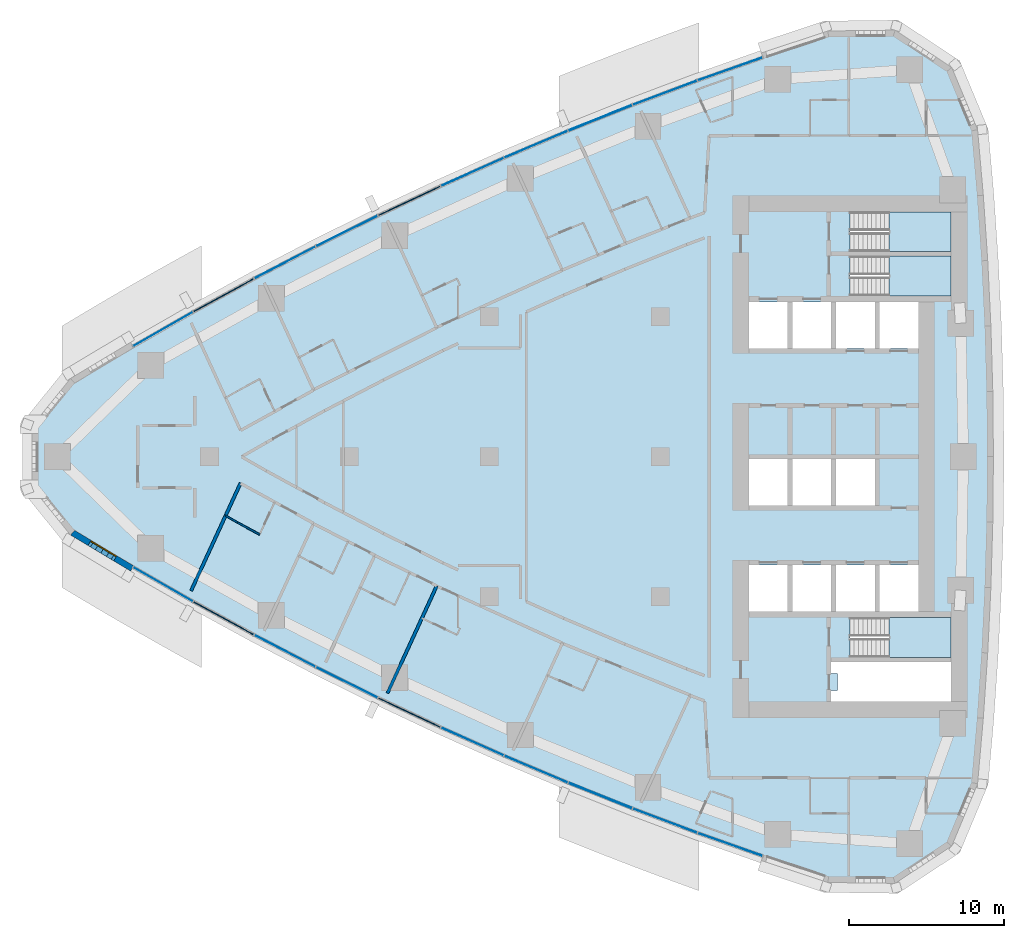
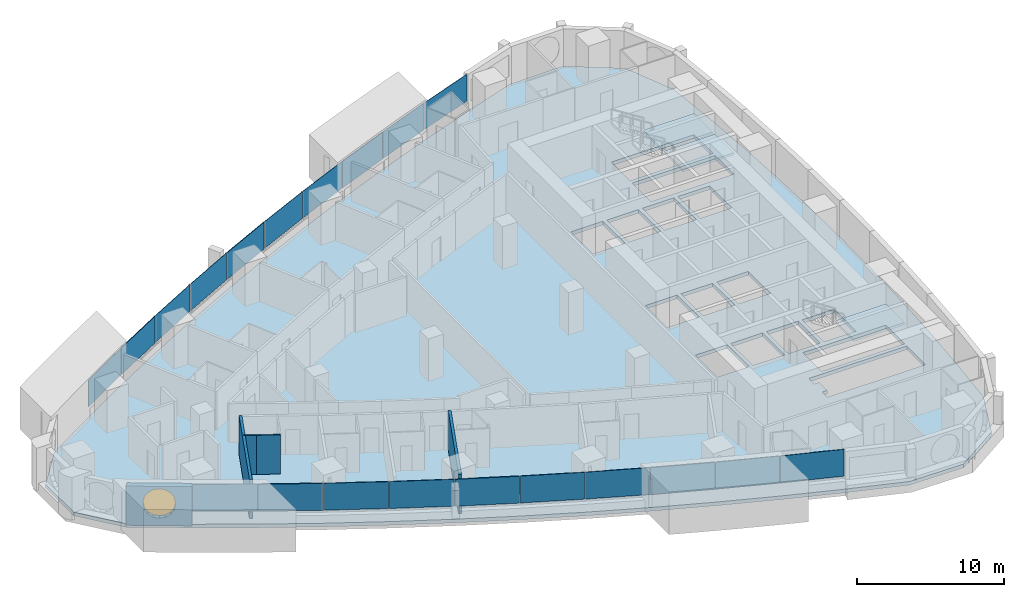
# One storey, part 7 of 17: 20 plates, 5 walls, 4 slabs, 1 window, 2 openings, 13 elements without a shape of their own.
"""IFC4 building model written with IfcOpenShell, lengths in metres."""

import ifcopenshell
import ifcopenshell.guid

model = None  # the IFC model being written
_history = None  # IfcOwnerHistory: only IFC2X3 demands one
_inside = {}  # id of a spatial element -> (the spatial element, [elements in it])
_under = {}  # id of a project, library or spatial element -> (it, [spatial elements below it])
_declared = {}  # id of a project -> (the project, [libraries it declares])
_typed = {}  # id of a type object -> (the type object, [elements of that type])
_made_of = {}  # id of a material, layer set ... -> (it, [elements and type objects made of it])


def new_model(schema):
    """Start an empty IFC model of exactly this schema.

    Asked for "IFC4X3", IfcOpenShell would pick the latest addendum, in which some entities
    have other attributes; the version numbers below select the first issue.
    IFC2X3 requires an IfcOwnerHistory on every rooted entity: one is made here for all.
    """
    global model, _history
    if schema == "IFC4X3":
        model = ifcopenshell.file(schema_version=(4, 3, 0, 0))
    else:
        model = ifcopenshell.file(schema=schema)
    _inside.clear()
    _under.clear()
    _declared.clear()
    _typed.clear()
    _made_of.clear()
    _history = None
    if model.schema == "IFC2X3":
        org = make("IfcOrganization", Name="unknown")
        user = make(
            "IfcPersonAndOrganization",
            ThePerson=make("IfcPerson", FamilyName="unknown"),
            TheOrganization=org,
        )
        app = make(
            "IfcApplication",
            ApplicationDeveloper=org,
            Version="unknown",
            ApplicationFullName="unknown",
            ApplicationIdentifier="unknown",
        )
        _history = make(
            "IfcOwnerHistory",
            OwningUser=user,
            OwningApplication=app,
            ChangeAction="ADDED",
            CreationDate=0,
        )
    return model


def make(cls, **values):
    """One entity of the class cls with the attributes given. An attribute that is None is left unset."""
    return model.create_entity(
        cls, **{name: value for name, value in values.items() if value is not None}
    )


def rooted(cls, **values):
    """An entity with a GlobalId (a new one), such as an element, a storey or a relation."""
    return make(cls, GlobalId=ifcopenshell.guid.new(), OwnerHistory=_history, **values)


def si_unit(unit_type, name, prefix=None):
    """IfcSIUnit, for example si_unit("LENGTHUNIT", "METRE", prefix="MILLI")."""
    return make("IfcSIUnit", UnitType=unit_type, Prefix=prefix, Name=name)


def assignment(units):
    """IfcUnitAssignment: the units of a project."""
    return None if units is None else make("IfcUnitAssignment", Units=units)


def point(xyz):
    """IfcCartesianPoint."""
    return None if xyz is None else make("IfcCartesianPoint", Coordinates=xyz)


def direction(xyz):
    """IfcDirection."""
    return None if xyz is None else make("IfcDirection", DirectionRatios=xyz)


def frame(location, z_axis=None, x_axis=None):
    """IfcAxis2Placement3D, a coordinate frame: its origin and axes. An axis left out is left unset."""
    return make(
        "IfcAxis2Placement3D",
        Location=point(location),
        Axis=direction(z_axis),
        RefDirection=direction(x_axis),
    )


def frame_2d(location, x_axis=None):
    """IfcAxis2Placement2D, a coordinate frame in the plane: its origin and x axis."""
    return make(
        "IfcAxis2Placement2D", Location=point(location), RefDirection=direction(x_axis)
    )


def origin():
    """The frame at (0, 0, 0) with its axes left unset."""
    return frame((0.0, 0.0, 0.0))


def origin_2d():
    """The frame at (0, 0) in the plane with its x axis left unset."""
    return frame_2d((0.0, 0.0))


def place(relative_to, where):
    """IfcLocalPlacement: puts the frame where relative to a parent placement (None: the world)."""
    return make(
        "IfcLocalPlacement", PlacementRelTo=relative_to, RelativePlacement=where
    )


def context(
    kind, dimensions, precision=None, world=None, true_north=None, identifier=None
):
    """IfcGeometricRepresentationContext, for example the 3D "Model" context."""
    return make(
        "IfcGeometricRepresentationContext",
        ContextIdentifier=identifier,
        ContextType=kind,
        CoordinateSpaceDimension=dimensions,
        Precision=precision,
        WorldCoordinateSystem=world,
        TrueNorth=true_north,
    )


def subcontext(parent, identifier, kind, view, scale=None):
    """IfcGeometricRepresentationSubContext, for example "Body" below "Model"."""
    return make(
        "IfcGeometricRepresentationSubContext",
        ContextIdentifier=identifier,
        ContextType=kind,
        ParentContext=parent,
        TargetScale=scale,
        TargetView=view,
    )


def project(units=None, contexts=None):
    """IfcProject with its units and contexts."""
    return rooted(
        "IfcProject",
        Name="project",
        RepresentationContexts=contexts,
        UnitsInContext=assignment(units),
    )


def spatial(cls, under=None, at=None, **own):
    """A site, building, storey or space (cls), placed at a placement, below another one or the project."""
    s = rooted(cls, ObjectPlacement=at, **own)
    if under is not None:
        _under.setdefault(under.id(), (under, []))[1].append(s)
    return s


def polyline(points):
    """IfcPolyline through the points."""
    return make("IfcPolyline", Points=[point(p) for p in points])


def profile(cls, at=None, kind="AREA", **sizes):
    """A parametric profile (cls). Its sizes go by their IFC names, for example OverallWidth=200.0."""
    return make(cls, ProfileType=kind, Position=at, **sizes)


def rectangle(**sizes):
    """IfcRectangleProfileDef."""
    return profile("IfcRectangleProfileDef", **sizes)


def outline(outer, holes=None, kind="AREA"):
    """IfcArbitraryClosedProfileDef: a profile drawn as a closed curve; with holes, ...WithVoids."""
    if holes is None:
        return make("IfcArbitraryClosedProfileDef", ProfileType=kind, OuterCurve=outer)
    return make(
        "IfcArbitraryProfileDefWithVoids",
        ProfileType=kind,
        OuterCurve=outer,
        InnerCurves=holes,
    )


def extrude(swept, where, along, depth):
    """IfcExtrudedAreaSolid: the profile swept, set in the frame where, extruded along a direction by depth."""
    return make(
        "IfcExtrudedAreaSolid",
        SweptArea=swept,
        Position=where,
        ExtrudedDirection=direction(along),
        Depth=depth,
    )


def shape(context_of_items, identifier, shape_type, items):
    """IfcShapeRepresentation: the items that make up one representation, for example the "Body"."""
    return make(
        "IfcShapeRepresentation",
        ContextOfItems=context_of_items,
        RepresentationIdentifier=identifier,
        RepresentationType=shape_type,
        Items=items,
    )


def material(Name=None, Category=None):
    """IfcMaterial."""
    return make("IfcMaterial", Name=Name, Category=Category)


def layer(
    of_material, thickness, ventilated=None, Name=None, Category=None, Priority=None
):
    """IfcMaterialLayer: one layer of a wall or slab, of a material (None: an air gap)."""
    return make(
        "IfcMaterialLayer",
        Material=of_material,
        LayerThickness=thickness,
        IsVentilated=ventilated,
        Name=Name,
        Category=Category,
        Priority=Priority,
    )


def layer_set(layers, Name=None):
    """IfcMaterialLayerSet."""
    return make("IfcMaterialLayerSet", MaterialLayers=layers, LayerSetName=Name)


def made_of(thing, what):
    """Note that an element or type object is made of a material, layer set ...; save() writes the relation."""
    if what is not None:
        _made_of.setdefault(what.id(), (what, []))[1].append(thing)
    return thing


def type_object(cls, material=None, **own):
    """A type object (cls), such as IfcWallType, which elements share."""
    return made_of(rooted(cls, **own), material)


def element(
    cls,
    number,
    at=None,
    inside=None,
    cuts=None,
    type_object=None,
    material=None,
    context=None,
    identifier="Body",
    shape_type=None,
    held_by="IfcProductDefinitionShape",
    body=None,
    shapes=None,
    **own,
):
    """One element of the class cls, such as IfcWall. Its Tag is "e" and its number.

    at: its placement. inside: the storey or other place that contains it. cuts: it is an
    opening in that element (IfcRelVoidsElement). A single representation is given by context,
    identifier, shape_type and body (its items); several are given by shapes. held_by: the class
    of the entity that holds the representations. save() writes the other relations.
    """
    e = rooted(cls, Tag="e%d" % number, ObjectPlacement=at, **own)
    if body is not None:
        shapes = [shape(context, identifier, shape_type, body)]
    if shapes is not None:
        e.Representation = make(held_by, Representations=shapes)
    if inside is not None:
        _inside.setdefault(inside.id(), (inside, []))[1].append(e)
    if cuts is not None:
        rooted(
            "IfcRelVoidsElement", RelatingBuildingElement=cuts, RelatedOpeningElement=e
        )
    if type_object is not None:
        _typed.setdefault(type_object.id(), (type_object, []))[1].append(e)
    return made_of(e, material)


def fill(opening, filler):
    """IfcRelFillsElement: the door or window that sits in an opening."""
    return rooted(
        "IfcRelFillsElement",
        RelatingOpeningElement=opening,
        RelatedBuildingElement=filler,
    )


def aggregate(whole, parts):
    """IfcRelAggregates: a whole, such as a stair, and the parts it consists of."""
    return rooted("IfcRelAggregates", RelatingObject=whole, RelatedObjects=parts)


def save(model, path):
    """Write the relations noted so far, then the file.

    IfcRelAggregates (storeys below a building ...), IfcRelContainedInSpatialStructure (elements
    in a storey), IfcRelDefinesByType, IfcRelAssociatesMaterial and IfcRelDeclares: one each for
    every whole, place, type object, material and project.
    """
    for whole, parts in _under.values():
        aggregate(whole, parts)
    for where, things in _inside.values():
        rooted(
            "IfcRelContainedInSpatialStructure",
            RelatedElements=things,
            RelatingStructure=where,
        )
    for kind, things in _typed.values():
        rooted("IfcRelDefinesByType", RelatedObjects=things, RelatingType=kind)
    for what, things in _made_of.values():
        rooted("IfcRelAssociatesMaterial", RelatedObjects=things, RelatingMaterial=what)
    for by, libraries in _declared.values():
        rooted("IfcRelDeclares", RelatingContext=by, RelatedDefinitions=libraries)
    model.write(path)


model = new_model("IFC4")

# Units and contexts
model_context = context("Model", 3, precision=1e-05, world=origin(), true_north=direction((0.0, 1.0)))
body_context = subcontext(model_context, "Body", "Model", "MODEL_VIEW")
ifc_project = project(units=[si_unit("LENGTHUNIT", "METRE"), si_unit("AREAUNIT", "SQUARE_METRE"), si_unit("VOLUMEUNIT", "CUBIC_METRE"), si_unit("PLANEANGLEUNIT", "RADIAN"), si_unit("MASSUNIT", "GRAM", prefix="KILO")], contexts=[model_context])

# Site, building, storey
site_placement = place(None, origin())
site = spatial("IfcSite", under=ifc_project, at=site_placement, CompositionType="ELEMENT")
building_placement = place(site_placement, origin())
building = spatial("IfcBuilding", under=site, at=building_placement, Name="Ostrand Prow Hotel Tower", CompositionType="ELEMENT")
storey_placement = place(building_placement, frame((0.0, 0.0, 99.10009765625)))
storey = spatial("IfcBuildingStorey", under=building, at=storey_placement, Name="L23", CompositionType="ELEMENT", Elevation=99.10009765625)

# Curtain wall, plate
ifc_material_1 = material(Name="Insulated glass in bronze anodised frame", Category="glass")
ifc_layer_1 = layer(ifc_material_1, 0.199951171875)
ifc_layer_set_1 = layer_set([ifc_layer_1], Name="Insulated glass in bronze anodised frame")
curtain_wall_type = type_object("IfcCurtainWallType", Name="Strip curtain wall, fritted glass over bronze spandrel", PredefinedType="NOTDEFINED", material=ifc_layer_set_1)
curtain_wall_1_placement = place(storey_placement, origin())
curtain_wall_1 = element("IfcCurtainWall", 1, at=curtain_wall_1_placement, inside=storey, type_object=curtain_wall_type, Name="CW1 run CWS1", PredefinedType="NOTDEFINED")
ifc_material_2 = material(Name="Ceramic-fritted glass", Category="glass")
ifc_layer_2 = layer(ifc_material_2, 0.031982421875)
ifc_layer_set_2 = layer_set([ifc_layer_2], Name="Ceramic-fritted glass")
plate_type_1 = type_object("IfcPlateType", Name="Dot-fritted ceramic glass unit 32 mm", PredefinedType="CURTAIN_PANEL", material=ifc_layer_set_2)
plate_1_placement = place(storey_placement, frame((13.013916015625, -8.2099609375, 1.02001953125), z_axis=(0.0, 0.0, 1.0), x_axis=(0.867684775301, -0.497114806368, 0.0)))
plate_1 = element("IfcPlate", 2, at=plate_1_placement, type_object=plate_type_1, Name="CW1 PN-D panel 1.2", PredefinedType="CURTAIN_PANEL", context=body_context, shape_type="SweptSolid", body=[
    extrude(rectangle(XDim=4.406005859375, YDim=0.031982421875, at=origin_2d()), origin(), (0.0, 0.0, 1.0), 2.22998046875),
])

# Curtain wall, plates
curtain_wall_2_placement = place(storey_placement, origin())
curtain_wall_2 = element("IfcCurtainWall", 3, at=curtain_wall_2_placement, inside=storey, type_object=curtain_wall_type, Name="CW1 run CWS2", PredefinedType="NOTDEFINED")
plate_2_placement = place(storey_placement, frame((20.8505859375, -12.49365234375, 1.02001953125), z_axis=(0.0, 0.0, 1.0), x_axis=(0.886896367661, -0.461968432937, 0.0)))
plate_2 = element("IfcPlate", 4, at=plate_2_placement, type_object=plate_type_1, Name="CW1 PN-D panel 1.2", PredefinedType="CURTAIN_PANEL", context=body_context, shape_type="SweptSolid", body=[
    extrude(rectangle(XDim=4.406005859375, YDim=0.031982421875, at=origin_2d()), origin(), (0.0, 0.0, 1.0), 2.22998046875),
])
plate_3_placement = place(storey_placement, frame((24.831787109375, -14.516845703125, 1.02001953125), z_axis=(0.0, 0.0, 1.0), x_axis=(0.895970803653, -0.44411295748, 0.0)))
plate_3 = element("IfcPlate", 5, at=plate_3_placement, type_object=plate_type_1, Name="CW1 PN-D panel 2.2", PredefinedType="CURTAIN_PANEL", context=body_context, shape_type="SweptSolid", body=[
    extrude(rectangle(XDim=4.406005859375, YDim=0.031982421875, at=origin_2d()), origin(), (0.0, 0.0, 1.0), 2.22998046875),
])
aggregate(curtain_wall_2, [plate_2, plate_3])

# Curtain wall, plate
curtain_wall_3_placement = place(storey_placement, origin())
curtain_wall_3 = element("IfcCurtainWall", 6, at=curtain_wall_3_placement, inside=storey, type_object=curtain_wall_type, Name="CW1 run CWS3", PredefinedType="NOTDEFINED")
plate_4_placement = place(storey_placement, frame((32.911865234375, -18.322265625, 1.02001953125), z_axis=(0.0, 0.0, 1.0), x_axis=(0.913037887435, -0.407874755419, 0.0)))
plate_4 = element("IfcPlate", 7, at=plate_4_placement, type_object=plate_type_1, Name="CW1 PN-D panel 2.2", PredefinedType="CURTAIN_PANEL", context=body_context, shape_type="SweptSolid", body=[
    extrude(rectangle(XDim=4.406005859375, YDim=0.031982421875, at=origin_2d()), origin(), (0.0, 0.0, 1.0), 2.22998046875),
])

curtain_wall_4_placement = place(storey_placement, origin())
curtain_wall_4 = element("IfcCurtainWall", 8, at=curtain_wall_4_placement, inside=storey, type_object=curtain_wall_type, Name="CW1 run CWS4", PredefinedType="NOTDEFINED")
plate_5_placement = place(storey_placement, frame((37.007080078125, -20.102783203125, 1.02001953125), z_axis=(0.0, 0.0, 1.0), x_axis=(0.921023688536, -0.389506566255, 0.0)))
plate_5 = element("IfcPlate", 9, at=plate_5_placement, type_object=plate_type_1, Name="CW1 PN-D panel 1.2", PredefinedType="CURTAIN_PANEL", context=body_context, shape_type="SweptSolid", body=[
    extrude(rectangle(XDim=4.406005859375, YDim=0.031982421875, at=origin_2d()), origin(), (0.0, 0.0, 1.0), 2.22998046875),
])

# Curtain wall, plates
curtain_wall_5_placement = place(storey_placement, origin())
curtain_wall_5 = element("IfcCurtainWall", 10, at=curtain_wall_5_placement, inside=storey, type_object=curtain_wall_type, Name="CW1 run CWS5", PredefinedType="NOTDEFINED")
plate_6_placement = place(storey_placement, frame((45.301025390625, -23.416015625, 1.02001953125), z_axis=(0.0, 0.0, 1.0), x_axis=(0.935883792387, -0.35230885193, 0.0)))
plate_6 = element("IfcPlate", 11, at=plate_6_placement, type_object=plate_type_1, Name="CW1 PN-D panel 1.2", PredefinedType="CURTAIN_PANEL", context=body_context, shape_type="SweptSolid", body=[
    extrude(rectangle(XDim=4.406005859375, YDim=0.031982421875, at=origin_2d()), origin(), (0.0, 0.0, 1.0), 2.22998046875),
])
plate_7_placement = place(storey_placement, frame((49.49609375, -24.947509765625, 1.02001953125), z_axis=(0.0, 0.0, 1.0), x_axis=(0.942751551748, -0.333495894542, 0.0)))
plate_7 = element("IfcPlate", 12, at=plate_7_placement, type_object=plate_type_1, Name="CW1 PN-D panel 2.2", PredefinedType="CURTAIN_PANEL", context=body_context, shape_type="SweptSolid", body=[
    extrude(rectangle(XDim=4.406005859375, YDim=0.031982421875, at=origin_2d()), origin(), (0.0, 0.0, 1.0), 2.22998046875),
])
aggregate(curtain_wall_5, [plate_6, plate_7])

curtain_wall_6_placement = place(storey_placement, origin())
curtain_wall_6 = element("IfcCurtainWall", 13, at=curtain_wall_6_placement, inside=storey, type_object=curtain_wall_type, Name="CW1 run CWN1", PredefinedType="NOTDEFINED")
plate_8_placement = place(storey_placement, frame((49.49609375, 24.947509765625, 1.02001953125), z_axis=(0.0, 0.0, 1.0), x_axis=(-0.942751551748, -0.333495894542, 0.0)))
plate_8 = element("IfcPlate", 14, at=plate_8_placement, type_object=plate_type_1, Name="CW1 PN-D panel 1.2", PredefinedType="CURTAIN_PANEL", context=body_context, shape_type="SweptSolid", body=[
    extrude(rectangle(XDim=4.406005859375, YDim=0.031982421875, at=origin_2d()), origin(), (0.0, 0.0, 1.0), 2.22998046875),
])
plate_9_placement = place(storey_placement, frame((45.301025390625, 23.416015625, 1.02001953125), z_axis=(0.0, 0.0, 1.0), x_axis=(-0.935883792387, -0.35230885193, 0.0)))
plate_9 = element("IfcPlate", 15, at=plate_9_placement, type_object=plate_type_1, Name="CW1 PN-D panel 2.2", PredefinedType="CURTAIN_PANEL", context=body_context, shape_type="SweptSolid", body=[
    extrude(rectangle(XDim=4.406005859375, YDim=0.031982421875, at=origin_2d()), origin(), (0.0, 0.0, 1.0), 2.22998046875),
])
aggregate(curtain_wall_6, [plate_8, plate_9])

# Curtain wall, plate
curtain_wall_7_placement = place(storey_placement, origin())
curtain_wall_7 = element("IfcCurtainWall", 16, at=curtain_wall_7_placement, inside=storey, type_object=curtain_wall_type, Name="CW1 run CWN2", PredefinedType="NOTDEFINED")
plate_10_placement = place(storey_placement, frame((37.007080078125, 20.102783203125, 1.02001953125), z_axis=(0.0, 0.0, 1.0), x_axis=(-0.921023688536, -0.389506566255, 0.0)))
plate_10 = element("IfcPlate", 17, at=plate_10_placement, type_object=plate_type_1, Name="CW1 PN-D panel 2.2", PredefinedType="CURTAIN_PANEL", context=body_context, shape_type="SweptSolid", body=[
    extrude(rectangle(XDim=4.406005859375, YDim=0.031982421875, at=origin_2d()), origin(), (0.0, 0.0, 1.0), 2.22998046875),
])

curtain_wall_8_placement = place(storey_placement, origin())
curtain_wall_8 = element("IfcCurtainWall", 18, at=curtain_wall_8_placement, inside=storey, type_object=curtain_wall_type, Name="CW1 run CWN3", PredefinedType="NOTDEFINED")
plate_11_placement = place(storey_placement, frame((32.911865234375, 18.322265625, 1.02001953125), z_axis=(0.0, 0.0, 1.0), x_axis=(-0.913037887435, -0.407874755419, 0.0)))
plate_11 = element("IfcPlate", 19, at=plate_11_placement, type_object=plate_type_1, Name="CW1 PN-D panel 1.2", PredefinedType="CURTAIN_PANEL", context=body_context, shape_type="SweptSolid", body=[
    extrude(rectangle(XDim=4.406005859375, YDim=0.031982421875, at=origin_2d()), origin(), (0.0, 0.0, 1.0), 2.22998046875),
])

# Curtain wall, plates
curtain_wall_9_placement = place(storey_placement, origin())
curtain_wall_9 = element("IfcCurtainWall", 20, at=curtain_wall_9_placement, inside=storey, type_object=curtain_wall_type, Name="CW1 run CWN4", PredefinedType="NOTDEFINED")
plate_12_placement = place(storey_placement, frame((24.831787109375, 14.516845703125, 1.02001953125), z_axis=(0.0, 0.0, 1.0), x_axis=(-0.895970803653, -0.44411295748, 0.0)))
plate_12 = element("IfcPlate", 21, at=plate_12_placement, type_object=plate_type_1, Name="CW1 PN-D panel 1.2", PredefinedType="CURTAIN_PANEL", context=body_context, shape_type="SweptSolid", body=[
    extrude(rectangle(XDim=4.406005859375, YDim=0.031982421875, at=origin_2d()), origin(), (0.0, 0.0, 1.0), 2.22998046875),
])
plate_13_placement = place(storey_placement, frame((20.8505859375, 12.49365234375, 1.02001953125), z_axis=(0.0, 0.0, 1.0), x_axis=(-0.886896367661, -0.461968432937, 0.0)))
plate_13 = element("IfcPlate", 22, at=plate_13_placement, type_object=plate_type_1, Name="CW1 PN-D panel 2.2", PredefinedType="CURTAIN_PANEL", context=body_context, shape_type="SweptSolid", body=[
    extrude(rectangle(XDim=4.406005859375, YDim=0.031982421875, at=origin_2d()), origin(), (0.0, 0.0, 1.0), 2.22998046875),
])
aggregate(curtain_wall_9, [plate_12, plate_13])

# Curtain wall, plate
curtain_wall_10_placement = place(storey_placement, origin())
curtain_wall_10 = element("IfcCurtainWall", 23, at=curtain_wall_10_placement, inside=storey, type_object=curtain_wall_type, Name="CW1 run CWN5", PredefinedType="NOTDEFINED")
plate_14_placement = place(storey_placement, frame((13.013916015625, 8.2099609375, 1.02001953125), z_axis=(0.0, 0.0, 1.0), x_axis=(-0.867684775301, -0.497114806368, 0.0)))
plate_14 = element("IfcPlate", 24, at=plate_14_placement, type_object=plate_type_1, Name="CW1 PN-D panel 2.2", PredefinedType="CURTAIN_PANEL", context=body_context, shape_type="SweptSolid", body=[
    extrude(rectangle(XDim=4.406005859375, YDim=0.031982421875, at=origin_2d()), origin(), (0.0, 0.0, 1.0), 2.22998046875),
])

# Plate
ifc_material_3 = material(Name="Fritted glass in bronze vent frame", Category="glass")
ifc_layer_3 = layer(ifc_material_3, 0.06005859375)
ifc_layer_set_3 = layer_set([ifc_layer_3], Name="Fritted glass in bronze vent frame")
plate_type_2 = type_object("IfcPlateType", Name="Operable vent panel 60 mm", PredefinedType="CURTAIN_PANEL", material=ifc_layer_set_3)
plate_15_placement = place(storey_placement, frame((16.910888671875, -10.39111328125, 1.02001953125), z_axis=(0.0, 0.0, 1.0), x_axis=(0.877466978439, -0.479637052103, 0.0)))
plate_15 = element("IfcPlate", 25, at=plate_15_placement, type_object=plate_type_2, Name="CW1 PN-O panel 2.2", PredefinedType="CURTAIN_PANEL", context=body_context, shape_type="SweptSolid", body=[
    extrude(rectangle(XDim=4.406005859375, YDim=0.06005859375, at=origin_2d()), origin(), (0.0, 0.0, 1.0), 2.22998046875),
])

aggregate(curtain_wall_1, [plate_1, plate_15])

plate_16_placement = place(storey_placement, frame((28.852783203125, -16.4599609375, 1.02001953125), z_axis=(0.0, 0.0, 1.0), x_axis=(0.904685808958, -0.426079320162, 0.0)))
plate_16 = element("IfcPlate", 26, at=plate_16_placement, type_object=plate_type_2, Name="CW1 PN-O panel 1.2", PredefinedType="CURTAIN_PANEL", context=body_context, shape_type="SweptSolid", body=[
    extrude(rectangle(XDim=4.406005859375, YDim=0.06005859375, at=origin_2d()), origin(), (0.0, 0.0, 1.0), 2.22998046875),
])

aggregate(curtain_wall_3, [plate_16, plate_4])

plate_17_placement = place(storey_placement, frame((41.137451171875, -21.801025390625, 1.02001953125), z_axis=(0.0, 0.0, 1.0), x_axis=(0.928640008649, -0.370982121315, 0.0)))
plate_17 = element("IfcPlate", 27, at=plate_17_placement, type_object=plate_type_2, Name="CW1 PN-O panel 2.2", PredefinedType="CURTAIN_PANEL", context=body_context, shape_type="SweptSolid", body=[
    extrude(rectangle(XDim=4.406005859375, YDim=0.06005859375, at=origin_2d()), origin(), (0.0, 0.0, 1.0), 2.22998046875),
])

aggregate(curtain_wall_4, [plate_5, plate_17])

plate_18_placement = place(storey_placement, frame((41.137451171875, 21.801025390625, 1.02001953125), z_axis=(0.0, 0.0, 1.0), x_axis=(-0.928640008649, -0.370982121315, 0.0)))
plate_18 = element("IfcPlate", 28, at=plate_18_placement, type_object=plate_type_2, Name="CW1 PN-O panel 1.2", PredefinedType="CURTAIN_PANEL", context=body_context, shape_type="SweptSolid", body=[
    extrude(rectangle(XDim=4.406005859375, YDim=0.06005859375, at=origin_2d()), origin(), (0.0, 0.0, 1.0), 2.22998046875),
])

aggregate(curtain_wall_7, [plate_18, plate_10])

plate_19_placement = place(storey_placement, frame((28.852783203125, 16.4599609375, 1.02001953125), z_axis=(0.0, 0.0, 1.0), x_axis=(-0.904685808958, -0.426079320162, 0.0)))
plate_19 = element("IfcPlate", 29, at=plate_19_placement, type_object=plate_type_2, Name="CW1 PN-O panel 2.2", PredefinedType="CURTAIN_PANEL", context=body_context, shape_type="SweptSolid", body=[
    extrude(rectangle(XDim=4.406005859375, YDim=0.06005859375, at=origin_2d()), origin(), (0.0, 0.0, 1.0), 2.22998046875),
])

aggregate(curtain_wall_8, [plate_11, plate_19])

plate_20_placement = place(storey_placement, frame((16.910888671875, 10.39111328125, 1.02001953125), z_axis=(0.0, 0.0, 1.0), x_axis=(-0.877466978439, -0.479637052103, 0.0)))
plate_20 = element("IfcPlate", 30, at=plate_20_placement, type_object=plate_type_2, Name="CW1 PN-O panel 1.2", PredefinedType="CURTAIN_PANEL", context=body_context, shape_type="SweptSolid", body=[
    extrude(rectangle(XDim=4.406005859375, YDim=0.06005859375, at=origin_2d()), origin(), (0.0, 0.0, 1.0), 2.22998046875),
])

aggregate(curtain_wall_10, [plate_20, plate_14])

# Slab, opening
ifc_material_4 = material(Name="Concrete C40/50", Category="concrete")
ifc_layer_4 = layer(ifc_material_4, 0.300048828125)
ifc_layer_set_4 = layer_set([ifc_layer_4], Name="Concrete C40/50")
slab_type_1 = type_object("IfcSlabType", Name="PT flat plate 300 C40/50", PredefinedType="FLOOR", material=ifc_layer_set_4)
slab_1_placement = place(storey_placement, frame((0.0, 0.0, -0.300048828125)))
slab_1 = element("IfcSlab", 31, at=slab_1_placement, inside=storey, type_object=slab_type_1, Name="Floor slab L23-1", PredefinedType="FLOOR", context=body_context, shape_type="SweptSolid", body=[
    extrude(outline(polyline([(7.150390625, 4.879638671875), (11.01806640625, 7.19970703125), (14.89501953125, 9.4208984375), (18.81591796875, 11.56396484375), (22.77880859375, 13.628173828125), (26.7822265625, 15.61279296875), (30.82470703125, 17.5166015625), (34.904541015625, 19.339111328125), (39.02001953125, 21.07958984375), (43.16943359375, 22.7373046875), (47.351318359375, 24.311279296875), (51.563720703125, 25.801513671875), (55.839599609375, 27.218505859375), (60.05615234375, 27.271728515625), (63.6103515625, 24.932861328125), (65.2294921875, 21.039306640625), (65.598876953125, 16.81201171875), (65.883544921875, 12.614501953125), (66.087158203125, 8.412353515625), (66.209228515625, 4.206787109375), (66.25, 0.0), (66.209228515625, -4.206787109375), (66.087158203125, -8.412353515625), (65.883544921875, -12.614501953125), (65.598876953125, -16.81201171875), (65.2294921875, -21.039306640625), (63.6103515625, -24.932861328125), (60.05615234375, -27.271728515625), (55.839599609375, -27.218505859375), (51.563720703125, -25.801513671875), (47.351318359375, -24.311279296875), (43.16943359375, -22.7373046875), (39.02001953125, -21.07958984375), (34.904541015625, -19.339111328125), (30.82470703125, -17.5166015625), (26.7822265625, -15.61279296875), (22.77880859375, -13.628173828125), (18.81591796875, -11.56396484375), (14.89501953125, -9.4208984375), (11.01806640625, -7.19970703125), (7.150390625, -4.879638671875), (4.75830078125, -1.923583984375), (4.75830078125, 1.923583984375), (7.150390625, 4.879638671875)]), holes=[polyline([(50.699951171875, 6.949951171875), (53.199951171875, 6.949951171875), (53.199951171875, 9.949951171875), (50.699951171875, 9.949951171875), (50.699951171875, 6.949951171875)]), polyline([(53.5, 6.949951171875), (56.0, 6.949951171875), (56.0, 9.949951171875), (53.5, 9.949951171875), (53.5, 6.949951171875)]), polyline([(56.300048828125, 6.949951171875), (58.800048828125, 6.949951171875), (58.800048828125, 9.949951171875), (56.300048828125, 9.949951171875), (56.300048828125, 6.949951171875)]), polyline([(59.10009765625, 6.949951171875), (61.60009765625, 6.949951171875), (61.60009765625, 9.949951171875), (59.10009765625, 9.949951171875), (59.10009765625, 6.949951171875)]), polyline([(50.699951171875, -3.14990234375), (53.199951171875, -3.14990234375), (53.199951171875, -0.14990234375), (50.699951171875, -0.14990234375), (50.699951171875, -3.14990234375)]), polyline([(53.5, -3.14990234375), (56.0, -3.14990234375), (56.0, -0.14990234375), (53.5, -0.14990234375), (53.5, -3.14990234375)]), polyline([(56.300048828125, -3.14990234375), (58.800048828125, -3.14990234375), (58.800048828125, -0.14990234375), (56.300048828125, -0.14990234375), (56.300048828125, -3.14990234375)]), polyline([(50.699951171875, -9.949951171875), (53.199951171875, -9.949951171875), (53.199951171875, -6.949951171875), (50.699951171875, -6.949951171875), (50.699951171875, -9.949951171875)]), polyline([(53.5, -9.949951171875), (56.0, -9.949951171875), (56.0, -6.949951171875), (53.5, -6.949951171875), (53.5, -9.949951171875)]), polyline([(56.300048828125, -9.949951171875), (58.800048828125, -9.949951171875), (58.800048828125, -6.949951171875), (56.300048828125, -6.949951171875), (56.300048828125, -9.949951171875)]), polyline([(59.10009765625, -9.949951171875), (61.60009765625, -9.949951171875), (61.60009765625, -6.949951171875), (59.10009765625, -6.949951171875), (59.10009765625, -9.949951171875)]), polyline([(57.200927734375, 10.35107421875), (57.200927734375, 12.89892578125), (63.718994140625, 12.89892578125), (63.718994140625, 10.35107421875), (57.200927734375, 10.35107421875)]), polyline([(57.200927734375, 13.200927734375), (57.200927734375, 15.7490234375), (63.718994140625, 15.7490234375), (63.718994140625, 13.200927734375), (57.200927734375, 13.200927734375)]), polyline([(57.200927734375, -12.89892578125), (57.200927734375, -10.35107421875), (63.718994140625, -10.35107421875), (63.718994140625, -12.89892578125), (57.200927734375, -12.89892578125)]), polyline([(56.0, -13.199951171875), (63.719970703125, -13.199951171875), (63.719970703125, -15.75), (56.0, -15.75), (56.0, -15.050048828125), (56.39990234375, -15.050048828125), (56.39990234375, -13.949951171875), (56.0, -13.949951171875), (56.0, -13.199951171875)])]), origin(), (0.0, 0.0, 1.0), 0.300048828125),
])
opening_1_placement = place(slab_1_placement, origin())
element("IfcOpeningElement", 32, at=opening_1_placement, cuts=slab_1, Name="Shaft opening 1", PredefinedType="OPENING", context=body_context, shape_type="SweptSolid", body=[
    extrude(outline(polyline([(56.0, -13.199951171875), (63.719970703125, -13.199951171875), (63.719970703125, -15.75), (56.0, -15.75), (56.0, -15.050048828125), (56.39990234375, -15.050048828125), (56.39990234375, -13.949951171875), (56.0, -13.949951171875), (56.0, -13.199951171875)])), origin(), (0.0, 0.0, 1.0), 0.300048828125),
])

# Stair, slab
ifc_material_5 = material(Name="Concrete C40/50", Category="concrete")
stair_type = type_object("IfcStairType", Name="Exit stair 1200 upper zone", PredefinedType="HALF_TURN_STAIR", material=ifc_material_5)
stair_1_placement = place(storey_placement, origin())
stair_1 = element("IfcStair", 33, at=stair_1_placement, inside=storey, type_object=stair_type, Name="L23 ST1C", PredefinedType="HALF_TURN_STAIR")
ifc_material_6 = material(Name="Concrete C40/50", Category="concrete")
ifc_layer_5 = layer(ifc_material_6, 0.199951171875)
ifc_layer_set_5 = layer_set([ifc_layer_5], Name="Concrete C40/50")
slab_type_2 = type_object("IfcSlabType", Name="Stair landing 200 concrete", PredefinedType="LANDING", material=ifc_layer_set_5)
slab_2_placement = place(storey_placement, frame((0.0, 0.0, 1.574951171875)))
slab_2 = element("IfcSlab", 34, at=slab_2_placement, type_object=slab_type_2, Name="ST1C landing 1", PredefinedType="LANDING", context=body_context, shape_type="SweptSolid", body=[
    extrude(outline(polyline([(59.719970703125, 10.35009765625), (63.719970703125, 10.35009765625), (63.719970703125, 12.89990234375), (59.719970703125, 12.89990234375), (59.719970703125, 10.35009765625)])), origin(), (0.0, 0.0, 1.0), 0.199951171875),
])
aggregate(stair_1, [slab_2])

stair_2_placement = place(storey_placement, origin())
stair_2 = element("IfcStair", 35, at=stair_2_placement, inside=storey, type_object=stair_type, Name="L23 ST3C", PredefinedType="HALF_TURN_STAIR")
slab_3_placement = place(storey_placement, frame((0.0, 0.0, 1.574951171875)))
slab_3 = element("IfcSlab", 36, at=slab_3_placement, type_object=slab_type_2, Name="ST3C landing 1", PredefinedType="LANDING", context=body_context, shape_type="SweptSolid", body=[
    extrude(outline(polyline([(59.719970703125, 13.199951171875), (63.719970703125, 13.199951171875), (63.719970703125, 15.75), (59.719970703125, 15.75), (59.719970703125, 13.199951171875)])), origin(), (0.0, 0.0, 1.0), 0.199951171875),
])
aggregate(stair_2, [slab_3])

stair_3_placement = place(storey_placement, origin())
stair_3 = element("IfcStair", 37, at=stair_3_placement, inside=storey, type_object=stair_type, Name="L23 ST2C", PredefinedType="HALF_TURN_STAIR")
slab_4_placement = place(storey_placement, frame((0.0, 0.0, 1.574951171875)))
slab_4 = element("IfcSlab", 38, at=slab_4_placement, type_object=slab_type_2, Name="ST2C landing 1", PredefinedType="LANDING", context=body_context, shape_type="SweptSolid", body=[
    extrude(outline(polyline([(59.719970703125, -12.89990234375), (63.719970703125, -12.89990234375), (63.719970703125, -10.35009765625), (59.719970703125, -10.35009765625), (59.719970703125, -12.89990234375)])), origin(), (0.0, 0.0, 1.0), 0.199951171875),
])
aggregate(stair_3, [slab_4])

# Walls
ifc_material_7 = material(Name="Plasterboard partition")
ifc_layer_6 = layer(ifc_material_7, 0.10009765625)
ifc_layer_set_6 = layer_set([ifc_layer_6], Name="Plasterboard partition")
wall_type_1 = type_object("IfcWallType", Name="Partition 100 bathroom wall", PredefinedType="PARTITIONING", material=ifc_layer_set_6)
wall_1_placement = place(storey_placement, frame((19.2275390625, -5.00830078125, 0.0), z_axis=(0.0, 0.0, 1.0), x_axis=(-0.877424481957, 0.479714788663, 0.0)))
element("IfcWall", 39, at=wall_1_placement, inside=storey, type_object=wall_type_1, Name="BATHROOM WALL", PredefinedType="PARTITIONING", context=body_context, shape_type="SweptSolid", body=[
    extrude(rectangle(XDim=1.62548828125, YDim=0.10009765625, at=frame_2d((0.812744140625, 0.0))), origin(), (0.0, 0.0, 1.0), 3.25),
])
wall_2_placement = place(storey_placement, frame((17.80126953125, -4.228515625, 0.0), z_axis=(0.0, 0.0, 1.0), x_axis=(-0.867629162742, 0.497211862248, 0.0)))
element("IfcWall", 40, at=wall_2_placement, inside=storey, type_object=wall_type_1, Name="BATHROOM WALL", PredefinedType="PARTITIONING", context=body_context, shape_type="SweptSolid", body=[
    extrude(rectangle(XDim=0.8818359375, YDim=0.10009765625, at=frame_2d((0.44091796875, 0.0))), origin(), (0.0, 0.0, 1.0), 3.25),
])
ifc_material_8 = material(Name="Plasterboard partition")
ifc_layer_7 = layer(ifc_material_8, 0.199951171875)
ifc_layer_set_7 = layer_set([ifc_layer_7], Name="Plasterboard partition")
wall_type_2 = type_object("IfcWallType", Name="Partition 200 key partition", PredefinedType="PARTITIONING", material=ifc_layer_set_7)
wall_3_placement = place(storey_placement, frame((14.814697265625, -8.625732421875, 0.0), z_axis=(0.0, 0.0, 1.0), x_axis=(0.417432341259, 0.908708006166, 0.0)))
element("IfcWall", 41, at=wall_3_placement, inside=storey, type_object=wall_type_2, Name="KEY PARTITION", PredefinedType="PARTITIONING", context=body_context, shape_type="SweptSolid", body=[
    extrude(rectangle(XDim=7.630615234375, YDim=0.199951171875, at=frame_2d((3.8154296875, 0.0))), origin(), (0.0, 0.0, 1.0), 3.25),
])
wall_4_placement = place(storey_placement, frame((27.449462890625, -15.20849609375, 0.0), z_axis=(0.0, 0.0, 1.0), x_axis=(0.417429919618, 0.90870911859, 0.0)))
element("IfcWall", 42, at=wall_4_placement, inside=storey, type_object=wall_type_2, Name="KEY PARTITION", PredefinedType="PARTITIONING", context=body_context, shape_type="SweptSolid", body=[
    extrude(rectangle(XDim=7.600341796875, YDim=0.199951171875, at=frame_2d((3.80029296875, 0.0))), origin(), (0.0, 0.0, 1.0), 3.25),
])

# Wall, opening, window
ifc_material_9 = material(Name="Precast concrete C40/50", Category="concrete")
ifc_layer_8 = layer(ifc_material_9, 0.39990234375)
ifc_layer_set_8 = layer_set([ifc_layer_8], Name="Precast concrete C40/50")
wall_type_3 = type_object("IfcWallType", Name="Stone-faced precast wall 400 mm", PredefinedType="NOTDEFINED", material=ifc_layer_set_8)
wall_5_placement = place(storey_placement, frame((7.1943359375, -4.8876953125, 0.0), z_axis=(0.0, 0.0, 1.0), x_axis=(0.857550776474, -0.514399325202, 0.0)))
wall_5 = element("IfcWall", 43, at=wall_5_placement, inside=storey, type_object=wall_type_3, Name="Stone-faced wall prow 5", PredefinedType="NOTDEFINED", context=body_context, shape_type="SweptSolid", body=[
    extrude(outline(polyline([(-0.035400390625, -0.199951171875), (4.468017578125, -0.199951171875), (4.468017578125, 0.199951171875), (0.035400390625, 0.199951171875), (-0.035400390625, -0.199951171875)])), origin(), (0.0, 0.0, 1.0), 3.25),
])
opening_2_placement = place(wall_5_placement, frame((1.134033203125, 0.0, 0.60009765625)))
opening_2 = element("IfcOpeningElement", 44, at=opening_2_placement, cuts=wall_5, Name="Opening WP1", PredefinedType="OPENING", context=body_context, shape_type="SweptSolid", body=[
    extrude(outline(polyline([(0.0, 1.35009765625), (0.083740234375, 1.77099609375), (0.322265625, 2.127685546875), (0.678955078125, 2.3662109375), (1.10009765625, 2.449951171875), (1.52099609375, 2.3662109375), (1.877685546875, 2.127685546875), (2.1162109375, 1.77099609375), (2.199951171875, 1.35009765625), (2.199951171875, 1.10009765625), (2.1162109375, 0.678955078125), (1.877685546875, 0.322265625), (1.52099609375, 0.083740234375), (1.10009765625, 0.0), (0.678955078125, 0.083740234375), (0.322265625, 0.322265625), (0.083740234375, 0.678955078125), (0.0, 1.099853515625), (0.0, 1.35009765625)])), frame((0.0, 0.2099609375, 0.0), z_axis=(0.0, -1.0, 0.0), x_axis=(1.0, 0.0, 0.0)), (0.0, 0.0, 1.0), 0.419921875),
])
ifc_material_10 = material(Name="Insulated glass in bronze frame", Category="glass")
window_type = type_object("IfcWindowType", Name="Round-ended prow window 2200x2450", PartitioningType="SINGLE_PANEL", PredefinedType="WINDOW", material=ifc_material_10)
window_placement = place(opening_2_placement, origin())
window = element("IfcWindow", 45, at=window_placement, inside=storey, type_object=window_type, Name="Window prow 5.1", OverallHeight=2.449951171875, OverallWidth=2.199951171875, PartitioningType="SINGLE_PANEL", PredefinedType="WINDOW", context=body_context, shape_type="SweptSolid", body=[
    extrude(outline(polyline([(0.0, 1.35009765625), (0.083740234375, 1.77099609375), (0.322265625, 2.127685546875), (0.678955078125, 2.3662109375), (1.10009765625, 2.449951171875), (1.52099609375, 2.3662109375), (1.877685546875, 2.127685546875), (2.1162109375, 1.77099609375), (2.199951171875, 1.35009765625), (2.199951171875, 1.10009765625), (2.1162109375, 0.678955078125), (1.877685546875, 0.322265625), (1.52099609375, 0.083740234375), (1.10009765625, 0.0), (0.678955078125, 0.083740234375), (0.322265625, 0.322265625), (0.083740234375, 0.678955078125), (0.0, 1.099853515625), (0.0, 1.35009765625)])), frame((0.0, 0.169921875, 0.0), z_axis=(0.0, -1.0, 0.0), x_axis=(1.0, 0.0, 0.0)), (0.0, 0.0, 1.0), 0.06005859375),
])
fill(opening_2, window)

save(model, "model.ifc")
